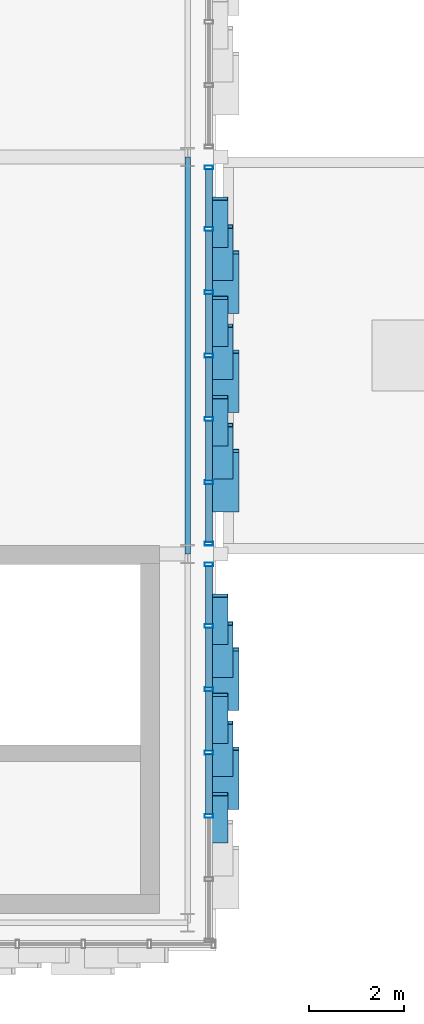
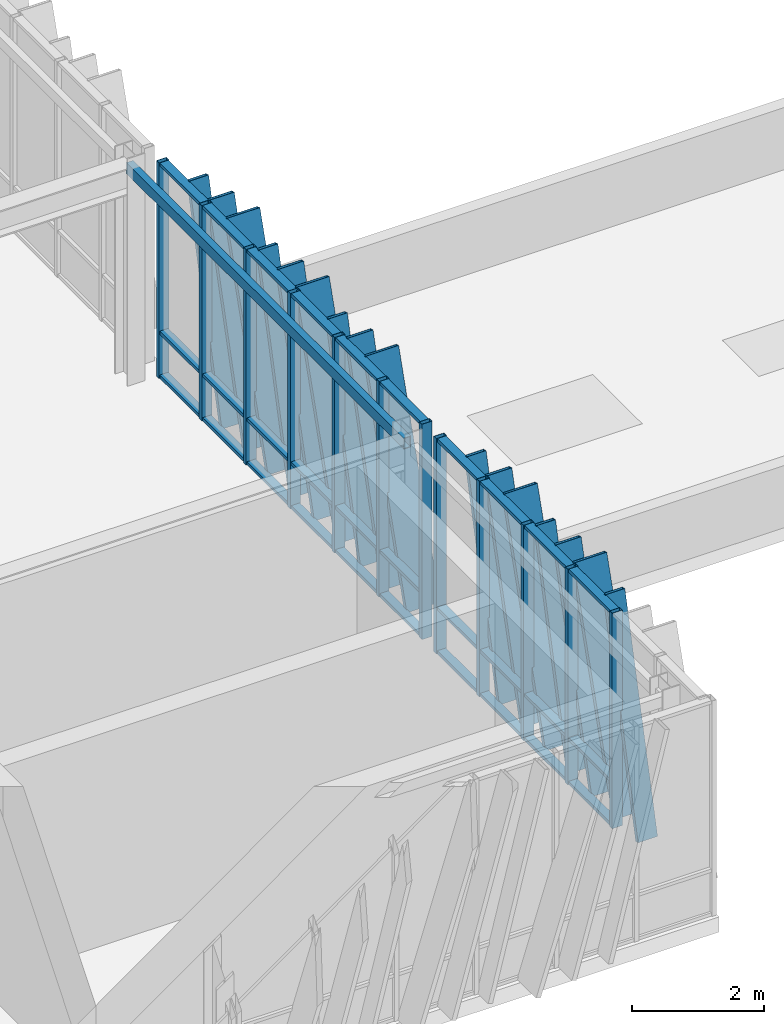
# One storey, part 52 of 123: 58 members, 1 beam, 2 elements without a shape of their own.
"""IFC4 building model written with IfcOpenShell, lengths in metres."""

from ifc_helpers import new_model, si_unit, direction, frame, origin, origin_2d, place, context, subcontext, project, spatial, hollow_rectangle, extrude, material, layer, layer_set, material_profile, profile_set, type_object, element, aggregate, save


model = new_model("IFC4")

# Units and contexts
model_context = context("Model", 3, precision=1e-05, world=origin(), true_north=direction((0.0, 1.0)))
body_context = subcontext(model_context, "Body", "Model", "MODEL_VIEW")
ifc_project = project(units=[si_unit("LENGTHUNIT", "METRE"), si_unit("AREAUNIT", "SQUARE_METRE"), si_unit("VOLUMEUNIT", "CUBIC_METRE"), si_unit("PLANEANGLEUNIT", "RADIAN"), si_unit("MASSUNIT", "GRAM", prefix="KILO")], contexts=[model_context])

# Site, building, storey
site_placement = place(None, origin())
site = spatial("IfcSite", under=ifc_project, at=site_placement, CompositionType="ELEMENT")
building_placement = place(site_placement, origin())
building = spatial("IfcBuilding", under=site, at=building_placement, Name="Zayran Congress Hotel", CompositionType="ELEMENT")
storey_placement = place(building_placement, frame((0.0, 0.0, 15.0)))
storey = spatial("IfcBuildingStorey", under=building, at=storey_placement, Name="L03", CompositionType="ELEMENT", Elevation=15.0)

# Beam
ifc_material_1 = material(Name="Steel S355", Category="steel")
ifc_material_profile_1 = material_profile(ifc_material_1, hollow_rectangle(XDim=0.1201171875, YDim=0.199951171875, WallThickness=0.008056640625, at=origin_2d()), Name="RHS 200x120x8")
ifc_profile_set_1 = profile_set([ifc_material_profile_1], Name="Steel S355")
beam_type = type_object("IfcBeamType", Name="TP-SP-02", PredefinedType="SPANDREL", material=ifc_profile_set_1)
beam_placement = place(storey_placement, frame((91.800048828125, 76.0, 3.8798828125), z_axis=(0.0, 1.0, 0.0), x_axis=(-1.0, 0.0, 0.0)))
element("IfcBeam", 1, at=beam_placement, inside=storey, type_object=beam_type, Name="BM-V1-L03-0891", PredefinedType="SPANDREL", context=body_context, shape_type="SweptSolid", body=[
    extrude(hollow_rectangle(XDim=0.1201171875, YDim=0.199951171875, WallThickness=0.008056640625, at=origin_2d()), origin(), (0.0, 0.0, 1.0), 8.39990234375),
])

# Curtain wall, members
ifc_material_2 = material(Name="Anodised aluminium and low-E insulated glass", Category="aluminium")
ifc_layer_1 = layer(ifc_material_2, 0.179931640625)
ifc_layer_set_1 = layer_set([ifc_layer_1], Name="Anodised aluminium and low-E insulated glass")
curtain_wall_type_1 = type_object("IfcCurtainWallType", Name="CW-V1E-L03-CW-41-8040-3980", PredefinedType="USERDEFINED", material=ifc_layer_set_1)
curtain_wall_1_placement = place(storey_placement, origin())
curtain_wall_1 = element("IfcCurtainWall", 2, at=curtain_wall_1_placement, inside=storey, type_object=curtain_wall_type_1, Name="CW-V1E-L03-0", ObjectType="CURTAIN WALL", PredefinedType="USERDEFINED")
ifc_material_3 = material(Name="Anodised aluminium framing", Category="aluminium")
ifc_material_profile_2 = material_profile(ifc_material_3, hollow_rectangle(XDim=0.080078125, YDim=0.179931640625, WallThickness=0.0048828125, at=origin_2d()), Name="RHS 180x80x5")
ifc_profile_set_2 = profile_set([ifc_material_profile_2], Name="Anodised aluminium framing")
member_type_1 = type_object("IfcMemberType", Name="TP-CWM-01", PredefinedType="MULLION", material=ifc_profile_set_2)
member_1_placement = place(storey_placement, frame((92.25, 70.4599609375, 0.0), z_axis=(0.0, 0.0, 1.0), x_axis=(0.0, 1.0, 0.0)))
member_1 = element("IfcMember", 3, at=member_1_placement, type_object=member_type_1, Name="CW-V1E-L03-0-M02", PredefinedType="MULLION", context=body_context, shape_type="SweptSolid", body=[
    extrude(hollow_rectangle(XDim=0.080078125, YDim=0.179931640625, WallThickness=0.0048828125, at=origin_2d()), origin(), (0.0, 0.0, 1.0), 3.97998046875),
])
member_2_placement = place(storey_placement, frame((92.25, 71.800048828125, 0.0), z_axis=(0.0, 0.0, 1.0), x_axis=(0.0, 1.0, 0.0)))
member_2 = element("IfcMember", 4, at=member_2_placement, type_object=member_type_1, Name="CW-V1E-L03-0-M03", PredefinedType="MULLION", context=body_context, shape_type="SweptSolid", body=[
    extrude(hollow_rectangle(XDim=0.080078125, YDim=0.179931640625, WallThickness=0.0048828125, at=origin_2d()), origin(), (0.0, 0.0, 1.0), 3.97998046875),
])
member_3_placement = place(storey_placement, frame((92.25, 73.139892578125, 0.0), z_axis=(0.0, 0.0, 1.0), x_axis=(0.0, 1.0, 0.0)))
member_3 = element("IfcMember", 5, at=member_3_placement, type_object=member_type_1, Name="CW-V1E-L03-0-M04", PredefinedType="MULLION", context=body_context, shape_type="SweptSolid", body=[
    extrude(hollow_rectangle(XDim=0.080078125, YDim=0.179931640625, WallThickness=0.0048828125, at=origin_2d()), origin(), (0.0, 0.0, 1.0), 3.97998046875),
])
member_4_placement = place(storey_placement, frame((92.25, 74.47998046875, 0.0), z_axis=(0.0, 0.0, 1.0), x_axis=(0.0, 1.0, 0.0)))
member_4 = element("IfcMember", 6, at=member_4_placement, type_object=member_type_1, Name="CW-V1E-L03-0-M05", PredefinedType="MULLION", context=body_context, shape_type="SweptSolid", body=[
    extrude(hollow_rectangle(XDim=0.080078125, YDim=0.179931640625, WallThickness=0.0048828125, at=origin_2d()), origin(), (0.0, 0.0, 1.0), 3.97998046875),
])
member_5_placement = place(storey_placement, frame((92.25, 75.780029296875, 0.0), z_axis=(0.0, 0.0, 1.0), x_axis=(0.0, 1.0, 0.0)))
member_5 = element("IfcMember", 7, at=member_5_placement, type_object=member_type_1, Name="CW-V1E-L03-0-M06", PredefinedType="MULLION", context=body_context, shape_type="SweptSolid", body=[
    extrude(hollow_rectangle(XDim=0.080078125, YDim=0.179931640625, WallThickness=0.0048828125, at=origin_2d()), origin(), (0.0, 0.0, 1.0), 3.97998046875),
])

ifc_layer_2 = layer(ifc_material_2, 0.179931640625)
ifc_layer_set_2 = layer_set([ifc_layer_2], Name="Anodised aluminium and low-E insulated glass")
curtain_wall_type_2 = type_object("IfcCurtainWallType", Name="CW-V1E-L03-CW-42-8040-3980", PredefinedType="USERDEFINED", material=ifc_layer_set_2)
curtain_wall_2_placement = place(storey_placement, origin())
curtain_wall_2 = element("IfcCurtainWall", 8, at=curtain_wall_2_placement, inside=storey, type_object=curtain_wall_type_2, Name="CW-V1E-L03-1", ObjectType="CURTAIN WALL", PredefinedType="USERDEFINED")
member_6_placement = place(storey_placement, frame((92.25, 76.219970703125, 0.0), z_axis=(0.0, 0.0, 1.0), x_axis=(0.0, 1.0, 0.0)))
member_6 = element("IfcMember", 9, at=member_6_placement, type_object=member_type_1, Name="CW-V1E-L03-1-M00", PredefinedType="MULLION", context=body_context, shape_type="SweptSolid", body=[
    extrude(hollow_rectangle(XDim=0.080078125, YDim=0.179931640625, WallThickness=0.0048828125, at=origin_2d()), origin(), (0.0, 0.0, 1.0), 3.97998046875),
])
member_7_placement = place(storey_placement, frame((92.25, 77.52001953125, 0.0), z_axis=(0.0, 0.0, 1.0), x_axis=(0.0, 1.0, 0.0)))
member_7 = element("IfcMember", 10, at=member_7_placement, type_object=member_type_1, Name="CW-V1E-L03-1-M01", PredefinedType="MULLION", context=body_context, shape_type="SweptSolid", body=[
    extrude(hollow_rectangle(XDim=0.080078125, YDim=0.179931640625, WallThickness=0.0048828125, at=origin_2d()), origin(), (0.0, 0.0, 1.0), 3.97998046875),
])
member_8_placement = place(storey_placement, frame((92.25, 78.860107421875, 0.0), z_axis=(0.0, 0.0, 1.0), x_axis=(0.0, 1.0, 0.0)))
member_8 = element("IfcMember", 11, at=member_8_placement, type_object=member_type_1, Name="CW-V1E-L03-1-M02", PredefinedType="MULLION", context=body_context, shape_type="SweptSolid", body=[
    extrude(hollow_rectangle(XDim=0.080078125, YDim=0.179931640625, WallThickness=0.0048828125, at=origin_2d()), origin(), (0.0, 0.0, 1.0), 3.97998046875),
])
member_9_placement = place(storey_placement, frame((92.25, 80.199951171875, 0.0), z_axis=(0.0, 0.0, 1.0), x_axis=(0.0, 1.0, 0.0)))
member_9 = element("IfcMember", 12, at=member_9_placement, type_object=member_type_1, Name="CW-V1E-L03-1-M03", PredefinedType="MULLION", context=body_context, shape_type="SweptSolid", body=[
    extrude(hollow_rectangle(XDim=0.080078125, YDim=0.179931640625, WallThickness=0.0048828125, at=origin_2d()), origin(), (0.0, 0.0, 1.0), 3.97998046875),
])
member_10_placement = place(storey_placement, frame((92.25, 81.5400390625, 0.0), z_axis=(0.0, 0.0, 1.0), x_axis=(0.0, 1.0, 0.0)))
member_10 = element("IfcMember", 13, at=member_10_placement, type_object=member_type_1, Name="CW-V1E-L03-1-M04", PredefinedType="MULLION", context=body_context, shape_type="SweptSolid", body=[
    extrude(hollow_rectangle(XDim=0.080078125, YDim=0.179931640625, WallThickness=0.0048828125, at=origin_2d()), origin(), (0.0, 0.0, 1.0), 3.97998046875),
])
member_11_placement = place(storey_placement, frame((92.25, 82.8798828125, 0.0), z_axis=(0.0, 0.0, 1.0), x_axis=(0.0, 1.0, 0.0)))
member_11 = element("IfcMember", 14, at=member_11_placement, type_object=member_type_1, Name="CW-V1E-L03-1-M05", PredefinedType="MULLION", context=body_context, shape_type="SweptSolid", body=[
    extrude(hollow_rectangle(XDim=0.080078125, YDim=0.179931640625, WallThickness=0.0048828125, at=origin_2d()), origin(), (0.0, 0.0, 1.0), 3.97998046875),
])
member_12_placement = place(storey_placement, frame((92.25, 84.179931640625, 0.0), z_axis=(0.0, 0.0, 1.0), x_axis=(0.0, 1.0, 0.0)))
member_12 = element("IfcMember", 15, at=member_12_placement, type_object=member_type_1, Name="CW-V1E-L03-1-M06", PredefinedType="MULLION", context=body_context, shape_type="SweptSolid", body=[
    extrude(hollow_rectangle(XDim=0.080078125, YDim=0.179931640625, WallThickness=0.0048828125, at=origin_2d()), origin(), (0.0, 0.0, 1.0), 3.97998046875),
])

# Member
ifc_material_profile_3 = material_profile(ifc_material_3, hollow_rectangle(XDim=0.06005859375, YDim=0.14990234375, WallThickness=0.00390625, at=origin_2d()), Name="RHS 150x60x4")
ifc_profile_set_3 = profile_set([ifc_material_profile_3], Name="Anodised aluminium framing")
member_type_2 = type_object("IfcMemberType", Name="TP-CWT-01", PredefinedType="USERDEFINED", material=ifc_profile_set_3)
member_13_placement = place(storey_placement, frame((92.25, 70.5, 0.030029296875), z_axis=(0.0, 1.0, 0.0), x_axis=(0.0, 0.0, 1.0)))
member_13 = element("IfcMember", 16, at=member_13_placement, type_object=member_type_2, Name="CW-V1E-L03-0-T02-0", ObjectType="TRANSOM", PredefinedType="USERDEFINED", context=body_context, shape_type="SweptSolid", body=[
    extrude(hollow_rectangle(XDim=0.06005859375, YDim=0.14990234375, WallThickness=0.00390625, at=origin_2d()), origin(), (0.0, 0.0, 1.0), 1.260009765625),
])

member_14_placement = place(storey_placement, frame((92.25, 70.5, 0.840087890625), z_axis=(0.0, 1.0, 0.0), x_axis=(0.0, 0.0, 1.0)))
member_14 = element("IfcMember", 17, at=member_14_placement, type_object=member_type_2, Name="CW-V1E-L03-0-T02-1", ObjectType="TRANSOM", PredefinedType="USERDEFINED", context=body_context, shape_type="SweptSolid", body=[
    extrude(hollow_rectangle(XDim=0.06005859375, YDim=0.14990234375, WallThickness=0.00390625, at=origin_2d()), origin(), (0.0, 0.0, 1.0), 1.260009765625),
])

member_15_placement = place(storey_placement, frame((92.25, 70.5, 3.949951171875), z_axis=(0.0, 1.0, 0.0), x_axis=(0.0, 0.0, 1.0)))
member_15 = element("IfcMember", 18, at=member_15_placement, type_object=member_type_2, Name="CW-V1E-L03-0-T02-2", ObjectType="TRANSOM", PredefinedType="USERDEFINED", context=body_context, shape_type="SweptSolid", body=[
    extrude(hollow_rectangle(XDim=0.06005859375, YDim=0.14990234375, WallThickness=0.00390625, at=origin_2d()), origin(), (0.0, 0.0, 1.0), 1.260009765625),
])

member_16_placement = place(storey_placement, frame((92.25, 71.840087890625, 0.030029296875), z_axis=(0.0, 1.0, 0.0), x_axis=(0.0, 0.0, 1.0)))
member_16 = element("IfcMember", 19, at=member_16_placement, type_object=member_type_2, Name="CW-V1E-L03-0-T03-0", ObjectType="TRANSOM", PredefinedType="USERDEFINED", context=body_context, shape_type="SweptSolid", body=[
    extrude(hollow_rectangle(XDim=0.06005859375, YDim=0.14990234375, WallThickness=0.00390625, at=origin_2d()), origin(), (0.0, 0.0, 1.0), 1.260009765625),
])

member_17_placement = place(storey_placement, frame((92.25, 71.840087890625, 0.840087890625), z_axis=(0.0, 1.0, 0.0), x_axis=(0.0, 0.0, 1.0)))
member_17 = element("IfcMember", 20, at=member_17_placement, type_object=member_type_2, Name="CW-V1E-L03-0-T03-1", ObjectType="TRANSOM", PredefinedType="USERDEFINED", context=body_context, shape_type="SweptSolid", body=[
    extrude(hollow_rectangle(XDim=0.06005859375, YDim=0.14990234375, WallThickness=0.00390625, at=origin_2d()), origin(), (0.0, 0.0, 1.0), 1.260009765625),
])

member_18_placement = place(storey_placement, frame((92.25, 71.840087890625, 3.949951171875), z_axis=(0.0, 1.0, 0.0), x_axis=(0.0, 0.0, 1.0)))
member_18 = element("IfcMember", 21, at=member_18_placement, type_object=member_type_2, Name="CW-V1E-L03-0-T03-2", ObjectType="TRANSOM", PredefinedType="USERDEFINED", context=body_context, shape_type="SweptSolid", body=[
    extrude(hollow_rectangle(XDim=0.06005859375, YDim=0.14990234375, WallThickness=0.00390625, at=origin_2d()), origin(), (0.0, 0.0, 1.0), 1.260009765625),
])

member_19_placement = place(storey_placement, frame((92.25, 73.179931640625, 0.030029296875), z_axis=(0.0, 1.0, 0.0), x_axis=(0.0, 0.0, 1.0)))
member_19 = element("IfcMember", 22, at=member_19_placement, type_object=member_type_2, Name="CW-V1E-L03-0-T04-0", ObjectType="TRANSOM", PredefinedType="USERDEFINED", context=body_context, shape_type="SweptSolid", body=[
    extrude(hollow_rectangle(XDim=0.06005859375, YDim=0.14990234375, WallThickness=0.00390625, at=origin_2d()), origin(), (0.0, 0.0, 1.0), 1.260009765625),
])

member_20_placement = place(storey_placement, frame((92.25, 73.179931640625, 0.840087890625), z_axis=(0.0, 1.0, 0.0), x_axis=(0.0, 0.0, 1.0)))
member_20 = element("IfcMember", 23, at=member_20_placement, type_object=member_type_2, Name="CW-V1E-L03-0-T04-1", ObjectType="TRANSOM", PredefinedType="USERDEFINED", context=body_context, shape_type="SweptSolid", body=[
    extrude(hollow_rectangle(XDim=0.06005859375, YDim=0.14990234375, WallThickness=0.00390625, at=origin_2d()), origin(), (0.0, 0.0, 1.0), 1.260009765625),
])

member_21_placement = place(storey_placement, frame((92.25, 73.179931640625, 3.949951171875), z_axis=(0.0, 1.0, 0.0), x_axis=(0.0, 0.0, 1.0)))
member_21 = element("IfcMember", 24, at=member_21_placement, type_object=member_type_2, Name="CW-V1E-L03-0-T04-2", ObjectType="TRANSOM", PredefinedType="USERDEFINED", context=body_context, shape_type="SweptSolid", body=[
    extrude(hollow_rectangle(XDim=0.06005859375, YDim=0.14990234375, WallThickness=0.00390625, at=origin_2d()), origin(), (0.0, 0.0, 1.0), 1.260009765625),
])

member_22_placement = place(storey_placement, frame((92.25, 74.52001953125, 0.030029296875), z_axis=(0.0, 1.0, 0.0), x_axis=(0.0, 0.0, 1.0)))
member_22 = element("IfcMember", 25, at=member_22_placement, type_object=member_type_2, Name="CW-V1E-L03-0-T05-0", ObjectType="TRANSOM", PredefinedType="USERDEFINED", context=body_context, shape_type="SweptSolid", body=[
    extrude(hollow_rectangle(XDim=0.06005859375, YDim=0.14990234375, WallThickness=0.00390625, at=origin_2d()), origin(), (0.0, 0.0, 1.0), 1.219970703125),
])

member_23_placement = place(storey_placement, frame((92.25, 74.52001953125, 0.840087890625), z_axis=(0.0, 1.0, 0.0), x_axis=(0.0, 0.0, 1.0)))
member_23 = element("IfcMember", 26, at=member_23_placement, type_object=member_type_2, Name="CW-V1E-L03-0-T05-1", ObjectType="TRANSOM", PredefinedType="USERDEFINED", context=body_context, shape_type="SweptSolid", body=[
    extrude(hollow_rectangle(XDim=0.06005859375, YDim=0.14990234375, WallThickness=0.00390625, at=origin_2d()), origin(), (0.0, 0.0, 1.0), 1.219970703125),
])

member_24_placement = place(storey_placement, frame((92.25, 74.52001953125, 3.949951171875), z_axis=(0.0, 1.0, 0.0), x_axis=(0.0, 0.0, 1.0)))
member_24 = element("IfcMember", 27, at=member_24_placement, type_object=member_type_2, Name="CW-V1E-L03-0-T05-2", ObjectType="TRANSOM", PredefinedType="USERDEFINED", context=body_context, shape_type="SweptSolid", body=[
    extrude(hollow_rectangle(XDim=0.06005859375, YDim=0.14990234375, WallThickness=0.00390625, at=origin_2d()), origin(), (0.0, 0.0, 1.0), 1.219970703125),
])

member_25_placement = place(storey_placement, frame((92.25, 76.260009765625, 0.030029296875), z_axis=(0.0, 1.0, 0.0), x_axis=(0.0, 0.0, 1.0)))
member_25 = element("IfcMember", 28, at=member_25_placement, type_object=member_type_2, Name="CW-V1E-L03-1-T00-0", ObjectType="TRANSOM", PredefinedType="USERDEFINED", context=body_context, shape_type="SweptSolid", body=[
    extrude(hollow_rectangle(XDim=0.06005859375, YDim=0.14990234375, WallThickness=0.00390625, at=origin_2d()), origin(), (0.0, 0.0, 1.0), 1.219970703125),
])

member_26_placement = place(storey_placement, frame((92.25, 76.260009765625, 0.840087890625), z_axis=(0.0, 1.0, 0.0), x_axis=(0.0, 0.0, 1.0)))
member_26 = element("IfcMember", 29, at=member_26_placement, type_object=member_type_2, Name="CW-V1E-L03-1-T00-1", ObjectType="TRANSOM", PredefinedType="USERDEFINED", context=body_context, shape_type="SweptSolid", body=[
    extrude(hollow_rectangle(XDim=0.06005859375, YDim=0.14990234375, WallThickness=0.00390625, at=origin_2d()), origin(), (0.0, 0.0, 1.0), 1.219970703125),
])

member_27_placement = place(storey_placement, frame((92.25, 76.260009765625, 3.949951171875), z_axis=(0.0, 1.0, 0.0), x_axis=(0.0, 0.0, 1.0)))
member_27 = element("IfcMember", 30, at=member_27_placement, type_object=member_type_2, Name="CW-V1E-L03-1-T00-2", ObjectType="TRANSOM", PredefinedType="USERDEFINED", context=body_context, shape_type="SweptSolid", body=[
    extrude(hollow_rectangle(XDim=0.06005859375, YDim=0.14990234375, WallThickness=0.00390625, at=origin_2d()), origin(), (0.0, 0.0, 1.0), 1.219970703125),
])

member_28_placement = place(storey_placement, frame((92.25, 77.56005859375, 0.030029296875), z_axis=(0.0, 1.0, 0.0), x_axis=(0.0, 0.0, 1.0)))
member_28 = element("IfcMember", 31, at=member_28_placement, type_object=member_type_2, Name="CW-V1E-L03-1-T01-0", ObjectType="TRANSOM", PredefinedType="USERDEFINED", context=body_context, shape_type="SweptSolid", body=[
    extrude(hollow_rectangle(XDim=0.06005859375, YDim=0.14990234375, WallThickness=0.00390625, at=origin_2d()), origin(), (0.0, 0.0, 1.0), 1.260009765625),
])

member_29_placement = place(storey_placement, frame((92.25, 77.56005859375, 0.840087890625), z_axis=(0.0, 1.0, 0.0), x_axis=(0.0, 0.0, 1.0)))
member_29 = element("IfcMember", 32, at=member_29_placement, type_object=member_type_2, Name="CW-V1E-L03-1-T01-1", ObjectType="TRANSOM", PredefinedType="USERDEFINED", context=body_context, shape_type="SweptSolid", body=[
    extrude(hollow_rectangle(XDim=0.06005859375, YDim=0.14990234375, WallThickness=0.00390625, at=origin_2d()), origin(), (0.0, 0.0, 1.0), 1.260009765625),
])

member_30_placement = place(storey_placement, frame((92.25, 77.56005859375, 3.949951171875), z_axis=(0.0, 1.0, 0.0), x_axis=(0.0, 0.0, 1.0)))
member_30 = element("IfcMember", 33, at=member_30_placement, type_object=member_type_2, Name="CW-V1E-L03-1-T01-2", ObjectType="TRANSOM", PredefinedType="USERDEFINED", context=body_context, shape_type="SweptSolid", body=[
    extrude(hollow_rectangle(XDim=0.06005859375, YDim=0.14990234375, WallThickness=0.00390625, at=origin_2d()), origin(), (0.0, 0.0, 1.0), 1.260009765625),
])

member_31_placement = place(storey_placement, frame((92.25, 78.89990234375, 0.030029296875), z_axis=(0.0, 1.0, 0.0), x_axis=(0.0, 0.0, 1.0)))
member_31 = element("IfcMember", 34, at=member_31_placement, type_object=member_type_2, Name="CW-V1E-L03-1-T02-0", ObjectType="TRANSOM", PredefinedType="USERDEFINED", context=body_context, shape_type="SweptSolid", body=[
    extrude(hollow_rectangle(XDim=0.06005859375, YDim=0.14990234375, WallThickness=0.00390625, at=origin_2d()), origin(), (0.0, 0.0, 1.0), 1.260009765625),
])

member_32_placement = place(storey_placement, frame((92.25, 78.89990234375, 0.840087890625), z_axis=(0.0, 1.0, 0.0), x_axis=(0.0, 0.0, 1.0)))
member_32 = element("IfcMember", 35, at=member_32_placement, type_object=member_type_2, Name="CW-V1E-L03-1-T02-1", ObjectType="TRANSOM", PredefinedType="USERDEFINED", context=body_context, shape_type="SweptSolid", body=[
    extrude(hollow_rectangle(XDim=0.06005859375, YDim=0.14990234375, WallThickness=0.00390625, at=origin_2d()), origin(), (0.0, 0.0, 1.0), 1.260009765625),
])

member_33_placement = place(storey_placement, frame((92.25, 78.89990234375, 3.949951171875), z_axis=(0.0, 1.0, 0.0), x_axis=(0.0, 0.0, 1.0)))
member_33 = element("IfcMember", 36, at=member_33_placement, type_object=member_type_2, Name="CW-V1E-L03-1-T02-2", ObjectType="TRANSOM", PredefinedType="USERDEFINED", context=body_context, shape_type="SweptSolid", body=[
    extrude(hollow_rectangle(XDim=0.06005859375, YDim=0.14990234375, WallThickness=0.00390625, at=origin_2d()), origin(), (0.0, 0.0, 1.0), 1.260009765625),
])

member_34_placement = place(storey_placement, frame((92.25, 80.239990234375, 0.030029296875), z_axis=(0.0, 1.0, 0.0), x_axis=(0.0, 0.0, 1.0)))
member_34 = element("IfcMember", 37, at=member_34_placement, type_object=member_type_2, Name="CW-V1E-L03-1-T03-0", ObjectType="TRANSOM", PredefinedType="USERDEFINED", context=body_context, shape_type="SweptSolid", body=[
    extrude(hollow_rectangle(XDim=0.06005859375, YDim=0.14990234375, WallThickness=0.00390625, at=origin_2d()), origin(), (0.0, 0.0, 1.0), 1.260009765625),
])

member_35_placement = place(storey_placement, frame((92.25, 80.239990234375, 0.840087890625), z_axis=(0.0, 1.0, 0.0), x_axis=(0.0, 0.0, 1.0)))
member_35 = element("IfcMember", 38, at=member_35_placement, type_object=member_type_2, Name="CW-V1E-L03-1-T03-1", ObjectType="TRANSOM", PredefinedType="USERDEFINED", context=body_context, shape_type="SweptSolid", body=[
    extrude(hollow_rectangle(XDim=0.06005859375, YDim=0.14990234375, WallThickness=0.00390625, at=origin_2d()), origin(), (0.0, 0.0, 1.0), 1.260009765625),
])

member_36_placement = place(storey_placement, frame((92.25, 80.239990234375, 3.949951171875), z_axis=(0.0, 1.0, 0.0), x_axis=(0.0, 0.0, 1.0)))
member_36 = element("IfcMember", 39, at=member_36_placement, type_object=member_type_2, Name="CW-V1E-L03-1-T03-2", ObjectType="TRANSOM", PredefinedType="USERDEFINED", context=body_context, shape_type="SweptSolid", body=[
    extrude(hollow_rectangle(XDim=0.06005859375, YDim=0.14990234375, WallThickness=0.00390625, at=origin_2d()), origin(), (0.0, 0.0, 1.0), 1.260009765625),
])

member_37_placement = place(storey_placement, frame((92.25, 81.580078125, 0.030029296875), z_axis=(0.0, 1.0, 0.0), x_axis=(0.0, 0.0, 1.0)))
member_37 = element("IfcMember", 40, at=member_37_placement, type_object=member_type_2, Name="CW-V1E-L03-1-T04-0", ObjectType="TRANSOM", PredefinedType="USERDEFINED", context=body_context, shape_type="SweptSolid", body=[
    extrude(hollow_rectangle(XDim=0.06005859375, YDim=0.14990234375, WallThickness=0.00390625, at=origin_2d()), origin(), (0.0, 0.0, 1.0), 1.260009765625),
])

member_38_placement = place(storey_placement, frame((92.25, 81.580078125, 0.840087890625), z_axis=(0.0, 1.0, 0.0), x_axis=(0.0, 0.0, 1.0)))
member_38 = element("IfcMember", 41, at=member_38_placement, type_object=member_type_2, Name="CW-V1E-L03-1-T04-1", ObjectType="TRANSOM", PredefinedType="USERDEFINED", context=body_context, shape_type="SweptSolid", body=[
    extrude(hollow_rectangle(XDim=0.06005859375, YDim=0.14990234375, WallThickness=0.00390625, at=origin_2d()), origin(), (0.0, 0.0, 1.0), 1.260009765625),
])

member_39_placement = place(storey_placement, frame((92.25, 81.580078125, 3.949951171875), z_axis=(0.0, 1.0, 0.0), x_axis=(0.0, 0.0, 1.0)))
member_39 = element("IfcMember", 42, at=member_39_placement, type_object=member_type_2, Name="CW-V1E-L03-1-T04-2", ObjectType="TRANSOM", PredefinedType="USERDEFINED", context=body_context, shape_type="SweptSolid", body=[
    extrude(hollow_rectangle(XDim=0.06005859375, YDim=0.14990234375, WallThickness=0.00390625, at=origin_2d()), origin(), (0.0, 0.0, 1.0), 1.260009765625),
])

member_40_placement = place(storey_placement, frame((92.25, 82.919921875, 0.030029296875), z_axis=(0.0, 1.0, 0.0), x_axis=(0.0, 0.0, 1.0)))
member_40 = element("IfcMember", 43, at=member_40_placement, type_object=member_type_2, Name="CW-V1E-L03-1-T05-0", ObjectType="TRANSOM", PredefinedType="USERDEFINED", context=body_context, shape_type="SweptSolid", body=[
    extrude(hollow_rectangle(XDim=0.06005859375, YDim=0.14990234375, WallThickness=0.00390625, at=origin_2d()), origin(), (0.0, 0.0, 1.0), 1.219970703125),
])

member_41_placement = place(storey_placement, frame((92.25, 82.919921875, 0.840087890625), z_axis=(0.0, 1.0, 0.0), x_axis=(0.0, 0.0, 1.0)))
member_41 = element("IfcMember", 44, at=member_41_placement, type_object=member_type_2, Name="CW-V1E-L03-1-T05-1", ObjectType="TRANSOM", PredefinedType="USERDEFINED", context=body_context, shape_type="SweptSolid", body=[
    extrude(hollow_rectangle(XDim=0.06005859375, YDim=0.14990234375, WallThickness=0.00390625, at=origin_2d()), origin(), (0.0, 0.0, 1.0), 1.219970703125),
])

member_42_placement = place(storey_placement, frame((92.25, 82.919921875, 3.949951171875), z_axis=(0.0, 1.0, 0.0), x_axis=(0.0, 0.0, 1.0)))
member_42 = element("IfcMember", 45, at=member_42_placement, type_object=member_type_2, Name="CW-V1E-L03-1-T05-2", ObjectType="TRANSOM", PredefinedType="USERDEFINED", context=body_context, shape_type="SweptSolid", body=[
    extrude(hollow_rectangle(XDim=0.06005859375, YDim=0.14990234375, WallThickness=0.00390625, at=origin_2d()), origin(), (0.0, 0.0, 1.0), 1.219970703125),
])

ifc_material_4 = material(Name="Warm bronze anodised aluminium", Category="aluminium")
ifc_material_profile_4 = material_profile(ifc_material_4, hollow_rectangle(XDim=0.080078125, YDim=0.580078125, WallThickness=0.006103515625, at=origin_2d()), Name="RHS 580x80x6")
ifc_profile_set_4 = profile_set([ifc_material_profile_4], Name="Warm bronze anodised aluminium")
member_type_3 = type_object("IfcMemberType", Name="TP-RFN-01", PredefinedType="MULLION", material=ifc_profile_set_4)
member_43_placement = place(storey_placement, frame((92.60009765625, 70.6298828125, 0.0), z_axis=(0.0, 0.30075896552, 0.953700185939), x_axis=(0.0, -0.953700185939, 0.30075896552)))
member_43 = element("IfcMember", 46, at=member_43_placement, type_object=member_type_3, Name="Slanting Reed Mullion CW-41-04", PredefinedType="MULLION", context=body_context, shape_type="SweptSolid", body=[
    extrude(hollow_rectangle(XDim=0.080078125, YDim=0.580078125, WallThickness=0.006103515625, at=origin_2d()), origin(), (0.0, 0.0, 1.0), 4.173095703125),
])

member_44_placement = place(storey_placement, frame((92.60009765625, 72.72998046875, 0.0), z_axis=(0.0, 0.300705753938, 0.953716965115), x_axis=(0.0, -0.953716965115, 0.300705753938)))
member_44 = element("IfcMember", 47, at=member_44_placement, type_object=member_type_3, Name="Slanting Reed Mullion CW-41-07", PredefinedType="MULLION", context=body_context, shape_type="SweptSolid", body=[
    extrude(hollow_rectangle(XDim=0.080078125, YDim=0.580078125, WallThickness=0.006103515625, at=origin_2d()), origin(), (0.0, 0.0, 1.0), 4.173095703125),
])

member_45_placement = place(storey_placement, frame((92.60009765625, 76.929931640625, 0.0), z_axis=(0.0, 0.300705753938, 0.953716965115), x_axis=(0.0, -0.953716965115, 0.300705753938)))
member_45 = element("IfcMember", 48, at=member_45_placement, type_object=member_type_3, Name="Slanting Reed Mullion CW-42-01", PredefinedType="MULLION", context=body_context, shape_type="SweptSolid", body=[
    extrude(hollow_rectangle(XDim=0.080078125, YDim=0.580078125, WallThickness=0.006103515625, at=origin_2d()), origin(), (0.0, 0.0, 1.0), 4.173095703125),
])

member_46_placement = place(storey_placement, frame((92.60009765625, 79.030029296875, 0.0), z_axis=(0.0, 0.300705753938, 0.953716965115), x_axis=(0.0, -0.953716965115, 0.300705753938)))
member_46 = element("IfcMember", 49, at=member_46_placement, type_object=member_type_3, Name="Slanting Reed Mullion CW-42-04", PredefinedType="MULLION", context=body_context, shape_type="SweptSolid", body=[
    extrude(hollow_rectangle(XDim=0.080078125, YDim=0.580078125, WallThickness=0.006103515625, at=origin_2d()), origin(), (0.0, 0.0, 1.0), 4.173095703125),
])

member_47_placement = place(storey_placement, frame((92.60009765625, 81.1298828125, 0.0), z_axis=(0.0, 0.30075896552, 0.953700185939), x_axis=(0.0, -0.953700185939, 0.30075896552)))
member_47 = element("IfcMember", 50, at=member_47_placement, type_object=member_type_3, Name="Slanting Reed Mullion CW-42-07", PredefinedType="MULLION", context=body_context, shape_type="SweptSolid", body=[
    extrude(hollow_rectangle(XDim=0.080078125, YDim=0.580078125, WallThickness=0.006103515625, at=origin_2d()), origin(), (0.0, 0.0, 1.0), 4.173095703125),
])

ifc_material_profile_5 = material_profile(ifc_material_4, hollow_rectangle(XDim=0.080078125, YDim=0.449951171875, WallThickness=0.006103515625, at=origin_2d()), Name="RHS 450x80x6")
ifc_profile_set_5 = profile_set([ifc_material_profile_5], Name="Warm bronze anodised aluminium")
member_type_4 = type_object("IfcMemberType", Name="TP-RFN-02", PredefinedType="MULLION", material=ifc_profile_set_5)
member_48_placement = place(storey_placement, frame((92.534912109375, 71.330078125, 0.0), z_axis=(0.0, 0.267241410526, 0.963629611677), x_axis=(0.0, -0.963629611677, 0.267241410526)))
member_48 = element("IfcMember", 51, at=member_48_placement, type_object=member_type_4, Name="Slanting Reed Mullion CW-41-05", PredefinedType="MULLION", context=body_context, shape_type="SweptSolid", body=[
    extrude(hollow_rectangle(XDim=0.080078125, YDim=0.449951171875, WallThickness=0.006103515625, at=origin_2d()), origin(), (0.0, 0.0, 1.0), 4.130126953125),
])

member_49_placement = place(storey_placement, frame((92.534912109375, 73.429931640625, 0.0), z_axis=(0.0, 0.267241410526, 0.963629611677), x_axis=(0.0, -0.963629611677, 0.267241410526)))
member_49 = element("IfcMember", 52, at=member_49_placement, type_object=member_type_4, Name="Slanting Reed Mullion CW-41-08", PredefinedType="MULLION", context=body_context, shape_type="SweptSolid", body=[
    extrude(hollow_rectangle(XDim=0.080078125, YDim=0.449951171875, WallThickness=0.006103515625, at=origin_2d()), origin(), (0.0, 0.0, 1.0), 4.130126953125),
])

member_50_placement = place(storey_placement, frame((92.534912109375, 77.6298828125, 0.0), z_axis=(0.0, 0.267296298756, 0.963614387954), x_axis=(0.0, -0.963614387954, 0.267296298756)))
member_50 = element("IfcMember", 53, at=member_50_placement, type_object=member_type_4, Name="Slanting Reed Mullion CW-42-02", PredefinedType="MULLION", context=body_context, shape_type="SweptSolid", body=[
    extrude(hollow_rectangle(XDim=0.080078125, YDim=0.449951171875, WallThickness=0.006103515625, at=origin_2d()), origin(), (0.0, 0.0, 1.0), 4.13037109375),
])

member_51_placement = place(storey_placement, frame((92.534912109375, 79.72998046875, 0.0), z_axis=(0.0, 0.267241410526, 0.963629611677), x_axis=(0.0, -0.963629611677, 0.267241410526)))
member_51 = element("IfcMember", 54, at=member_51_placement, type_object=member_type_4, Name="Slanting Reed Mullion CW-42-05", PredefinedType="MULLION", context=body_context, shape_type="SweptSolid", body=[
    extrude(hollow_rectangle(XDim=0.080078125, YDim=0.449951171875, WallThickness=0.006103515625, at=origin_2d()), origin(), (0.0, 0.0, 1.0), 4.130126953125),
])

member_52_placement = place(storey_placement, frame((92.534912109375, 81.830078125, 0.0), z_axis=(0.0, 0.267241410526, 0.963629611677), x_axis=(0.0, -0.963629611677, 0.267241410526)))
member_52 = element("IfcMember", 55, at=member_52_placement, type_object=member_type_4, Name="Slanting Reed Mullion CW-42-08", PredefinedType="MULLION", context=body_context, shape_type="SweptSolid", body=[
    extrude(hollow_rectangle(XDim=0.080078125, YDim=0.449951171875, WallThickness=0.006103515625, at=origin_2d()), origin(), (0.0, 0.0, 1.0), 4.130126953125),
])

ifc_material_profile_6 = material_profile(ifc_material_4, hollow_rectangle(XDim=0.080078125, YDim=0.340087890625, WallThickness=0.006103515625, at=origin_2d()), Name="RHS 340x80x6")
ifc_profile_set_6 = profile_set([ifc_material_profile_6], Name="Warm bronze anodised aluminium")
member_type_5 = type_object("IfcMemberType", Name="TP-RFN-03", PredefinedType="MULLION", material=ifc_profile_set_6)
member_53_placement = place(storey_placement, frame((92.47998046875, 69.929931640625, 0.0), z_axis=(0.0, 0.241947386249, 0.970289370388), x_axis=(0.0, -0.970289370388, 0.241947386249)))
member_53 = element("IfcMember", 56, at=member_53_placement, type_object=member_type_5, Name="Slanting Reed Mullion CW-41-03", PredefinedType="MULLION", context=body_context, shape_type="SweptSolid", body=[
    extrude(hollow_rectangle(XDim=0.080078125, YDim=0.340087890625, WallThickness=0.006103515625, at=origin_2d()), origin(), (0.0, 0.0, 1.0), 4.101806640625),
])

member_54_placement = place(storey_placement, frame((92.47998046875, 72.030029296875, 0.0), z_axis=(0.0, 0.24189134958, 0.970303341743), x_axis=(0.0, -0.970303341743, 0.24189134958)))
member_54 = element("IfcMember", 57, at=member_54_placement, type_object=member_type_5, Name="Slanting Reed Mullion CW-41-06", PredefinedType="MULLION", context=body_context, shape_type="SweptSolid", body=[
    extrude(hollow_rectangle(XDim=0.080078125, YDim=0.340087890625, WallThickness=0.006103515625, at=origin_2d()), origin(), (0.0, 0.0, 1.0), 4.101806640625),
])

member_55_placement = place(storey_placement, frame((92.47998046875, 74.1298828125, 0.0), z_axis=(0.0, 0.241947386249, 0.970289370388), x_axis=(0.0, -0.970289370388, 0.241947386249)))
member_55 = element("IfcMember", 58, at=member_55_placement, type_object=member_type_5, Name="Slanting Reed Mullion CW-41-09", PredefinedType="MULLION", context=body_context, shape_type="SweptSolid", body=[
    extrude(hollow_rectangle(XDim=0.080078125, YDim=0.340087890625, WallThickness=0.006103515625, at=origin_2d()), origin(), (0.0, 0.0, 1.0), 4.101806640625),
])

aggregate(curtain_wall_1, [member_1, member_2, member_3, member_4, member_5, member_13, member_14, member_15, member_16, member_17, member_18, member_19, member_20, member_21, member_22, member_23, member_24, member_53, member_43, member_48, member_54, member_44, member_49, member_55])

member_56_placement = place(storey_placement, frame((92.47998046875, 78.330078125, 0.0), z_axis=(0.0, 0.24189134958, 0.970303341743), x_axis=(0.0, -0.970303341743, 0.24189134958)))
member_56 = element("IfcMember", 59, at=member_56_placement, type_object=member_type_5, Name="Slanting Reed Mullion CW-42-03", PredefinedType="MULLION", context=body_context, shape_type="SweptSolid", body=[
    extrude(hollow_rectangle(XDim=0.080078125, YDim=0.340087890625, WallThickness=0.006103515625, at=origin_2d()), origin(), (0.0, 0.0, 1.0), 4.101806640625),
])

member_57_placement = place(storey_placement, frame((92.47998046875, 80.429931640625, 0.0), z_axis=(0.0, 0.241947386249, 0.970289370388), x_axis=(0.0, -0.970289370388, 0.241947386249)))
member_57 = element("IfcMember", 60, at=member_57_placement, type_object=member_type_5, Name="Slanting Reed Mullion CW-42-06", PredefinedType="MULLION", context=body_context, shape_type="SweptSolid", body=[
    extrude(hollow_rectangle(XDim=0.080078125, YDim=0.340087890625, WallThickness=0.006103515625, at=origin_2d()), origin(), (0.0, 0.0, 1.0), 4.101806640625),
])

member_58_placement = place(storey_placement, frame((92.47998046875, 82.530029296875, 0.0), z_axis=(0.0, 0.24189134958, 0.970303341743), x_axis=(0.0, -0.970303341743, 0.24189134958)))
member_58 = element("IfcMember", 61, at=member_58_placement, type_object=member_type_5, Name="Slanting Reed Mullion CW-42-09", PredefinedType="MULLION", context=body_context, shape_type="SweptSolid", body=[
    extrude(hollow_rectangle(XDim=0.080078125, YDim=0.340087890625, WallThickness=0.006103515625, at=origin_2d()), origin(), (0.0, 0.0, 1.0), 4.101806640625),
])

aggregate(curtain_wall_2, [member_6, member_7, member_8, member_9, member_10, member_11, member_12, member_25, member_26, member_27, member_28, member_29, member_30, member_31, member_32, member_33, member_34, member_35, member_36, member_37, member_38, member_39, member_40, member_41, member_42, member_45, member_50, member_56, member_46, member_51, member_57, member_47, member_52, member_58])

save(model, "model.ifc")
